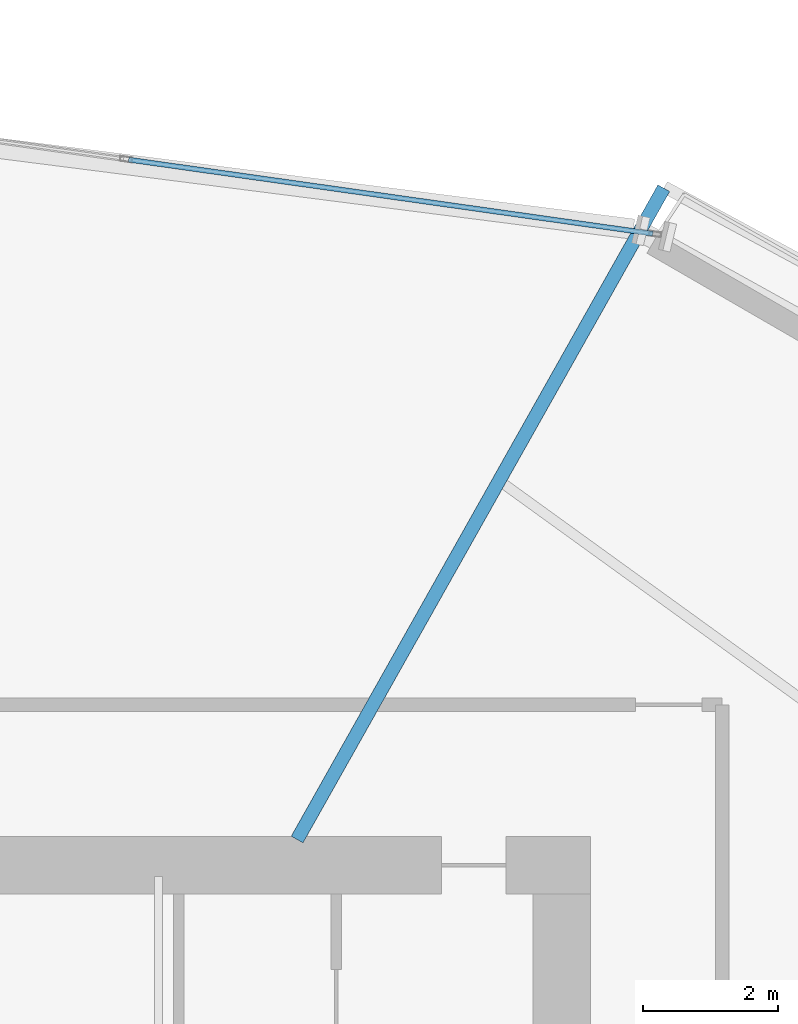
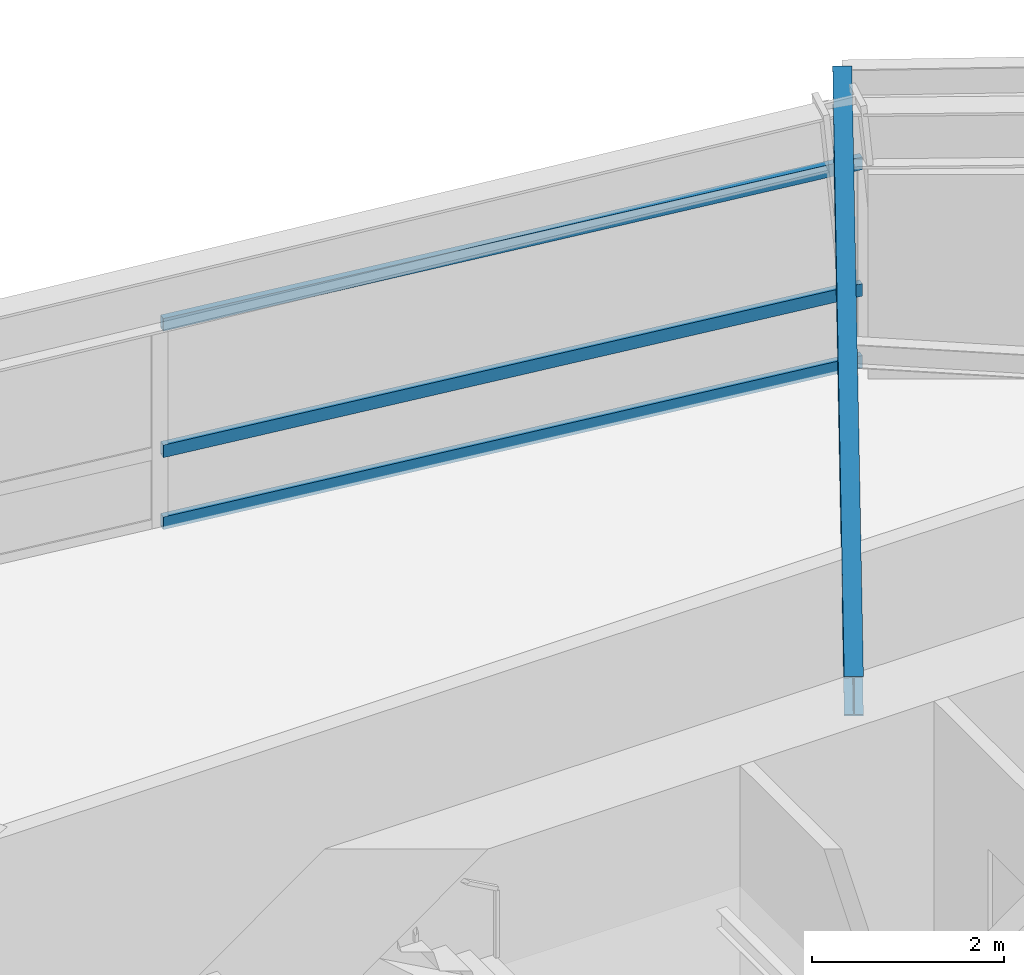
# One storey, part 9 of 21: 3 members, 1 beam, 1 element without a shape of its own.
"""IFC4 building model written with IfcOpenShell, lengths in metres."""

from ifc_helpers import new_model, si_unit, direction, frame, origin, origin_2d, place, context, subcontext, project, spatial, hollow_rectangle, i_section, extrude, source, transform, mapped, material, material_profile, profile_set, type_object, element, aggregate, save


model = new_model("IFC4")

# Units and contexts
model_context = context("Model", 3, precision=1e-05, world=origin(), true_north=direction((0.0, 1.0)))
body_context = subcontext(model_context, "Body", "Model", "MODEL_VIEW")
ifc_project = project(units=[si_unit("LENGTHUNIT", "METRE"), si_unit("AREAUNIT", "SQUARE_METRE"), si_unit("VOLUMEUNIT", "CUBIC_METRE"), si_unit("PLANEANGLEUNIT", "RADIAN"), si_unit("MASSUNIT", "GRAM", prefix="KILO")], contexts=[model_context])

# Site, building, storey
site_placement = place(None, origin())
site = spatial("IfcSite", under=ifc_project, at=site_placement, CompositionType="ELEMENT")
building_placement = place(site_placement, origin())
building = spatial("IfcBuilding", under=site, at=building_placement, Name="Olszyna Solenne Hotel", CompositionType="ELEMENT")
storey_placement = place(building_placement, frame((0.0, 0.0, 54.14990234375)))
storey = spatial("IfcBuildingStorey", under=building, at=storey_placement, Name="L13", CompositionType="ELEMENT", Elevation=54.14990234375)

# Beam
ifc_material_1 = material(Name="Steel S355J2", Category="steel")
ifc_material_profile_1 = material_profile(ifc_material_1, i_section(OverallWidth=0.199951171875, OverallDepth=0.5, WebThickness=0.01025390625, FlangeThickness=0.01611328125, at=origin_2d()), Name="IPE 500", Category="load-bearing")
ifc_profile_set_1 = profile_set([ifc_material_profile_1], Name="Steel S355J2")
beam_type = type_object("IfcBeamType", Name="BM-F3", PredefinedType="BEAM", material=ifc_profile_set_1)
shared_shape_1 = source(origin(), body_context, "Body", "SweptSolid", [
    extrude(i_section(OverallWidth=0.199951171875, OverallDepth=0.5, WebThickness=0.01025390625, FlangeThickness=0.01611328125, at=origin_2d()), origin(), (0.0, 0.0, 1.0), 11.06005859375),
])
beam_placement = place(storey_placement, frame((47.837158203125, 44.14404296875, 3.050048828125), z_axis=(-0.490592378209, -0.871389188849, 0.0), x_axis=(0.871389188849, -0.490592378209, 0.0)))
element("IfcBeam", 1, at=beam_placement, inside=storey, type_object=beam_type, Name="Radial floor girder BM-F3 B-L13-0420", PredefinedType="BEAM", context=body_context, shape_type="MappedRepresentation", body=[
    mapped(shared_shape_1, transform((0.0, 0.0, 0.0), x_axis=(1.0, 0.0, 0.0), y_axis=(0.0, 1.0, 0.0), z_axis=(0.0, 0.0, 1.0), scale=1.0)),
])

# Curtain wall, members
ifc_material_2 = material(Name="Anodised bronze aluminium", Category="aluminium")
curtain_wall_type = type_object("IfcCurtainWallType", Name="CW-SYS-2", PredefinedType="NOTDEFINED", material=ifc_material_2)
curtain_wall_placement = place(storey_placement, origin())
curtain_wall = element("IfcCurtainWall", 2, at=curtain_wall_placement, inside=storey, type_object=curtain_wall_type, Name="Unitised curtain wall CW-SYS-2 CW-L13-02", PredefinedType="NOTDEFINED")
ifc_material_profile_2 = material_profile(ifc_material_2, hollow_rectangle(XDim=0.074951171875, YDim=0.159912109375, WallThickness=0.00390625, at=origin_2d()), Name="TRAN 160x75x4", Category="load-bearing")
ifc_profile_set_2 = profile_set([ifc_material_profile_2], Name="Anodised bronze aluminium")
member_type = type_object("IfcMemberType", Name="CW-T1", PredefinedType="USERDEFINED", material=ifc_profile_set_2)
shared_shape_2 = source(origin(), body_context, "Body", "SweptSolid", [
    extrude(hollow_rectangle(XDim=0.074951171875, YDim=0.159912109375, WallThickness=0.00390625, at=origin_2d()), origin(), (0.0, 0.0, 1.0), 7.832275390625),
])
member_1_placement = place(storey_placement, frame((39.91845703125, 44.56640625, 0.03759765625), z_axis=(0.990152941859, -0.139989827228, 0.0), x_axis=(0.139989827228, 0.990152941859, 0.0)))
member_1 = element("IfcMember", 3, at=member_1_placement, type_object=member_type, Name="Curtain-wall transom CW-T1 CT-L13-02-07", ObjectType="TRANSOM", PredefinedType="USERDEFINED", context=body_context, shape_type="MappedRepresentation", body=[
    mapped(shared_shape_2, transform((0.0, 0.0, 0.0), x_axis=(1.0, 0.0, 0.0), y_axis=(0.0, 1.0, 0.0), z_axis=(0.0, 0.0, 1.0), scale=1.0)),
])
member_2_placement = place(storey_placement, frame((39.91845703125, 44.56640625, 0.9501953125), z_axis=(0.990152941859, -0.139989827228, 0.0), x_axis=(0.139989827228, 0.990152941859, 0.0)))
member_2 = element("IfcMember", 4, at=member_2_placement, type_object=member_type, Name="Curtain-wall transom CW-T1 CT-L13-02-08", ObjectType="TRANSOM", PredefinedType="USERDEFINED", context=body_context, shape_type="MappedRepresentation", body=[
    mapped(shared_shape_2, transform((0.0, 0.0, 0.0), x_axis=(1.0, 0.0, 0.0), y_axis=(0.0, 1.0, 0.0), z_axis=(0.0, 0.0, 1.0), scale=1.0)),
])
member_3_placement = place(storey_placement, frame((39.91845703125, 44.56640625, 2.5546875), z_axis=(0.990152941859, -0.139989827228, 0.0), x_axis=(0.139989827228, 0.990152941859, 0.0)))
member_3 = element("IfcMember", 5, at=member_3_placement, type_object=member_type, Name="Curtain-wall transom CW-T1 CT-L13-02-09", ObjectType="TRANSOM", PredefinedType="USERDEFINED", context=body_context, shape_type="MappedRepresentation", body=[
    mapped(shared_shape_2, transform((0.0, 0.0, 0.0), x_axis=(1.0, 0.0, 0.0), y_axis=(0.0, 1.0, 0.0), z_axis=(0.0, 0.0, 1.0), scale=1.0)),
])
aggregate(curtain_wall, [member_1, member_2, member_3])

save(model, "model.ifc")
